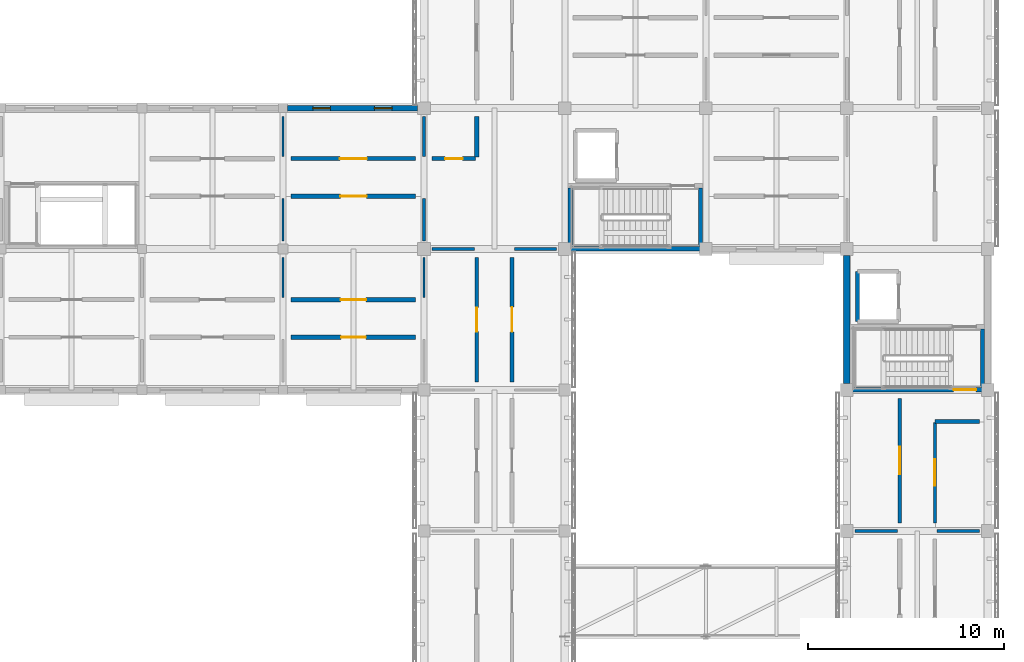
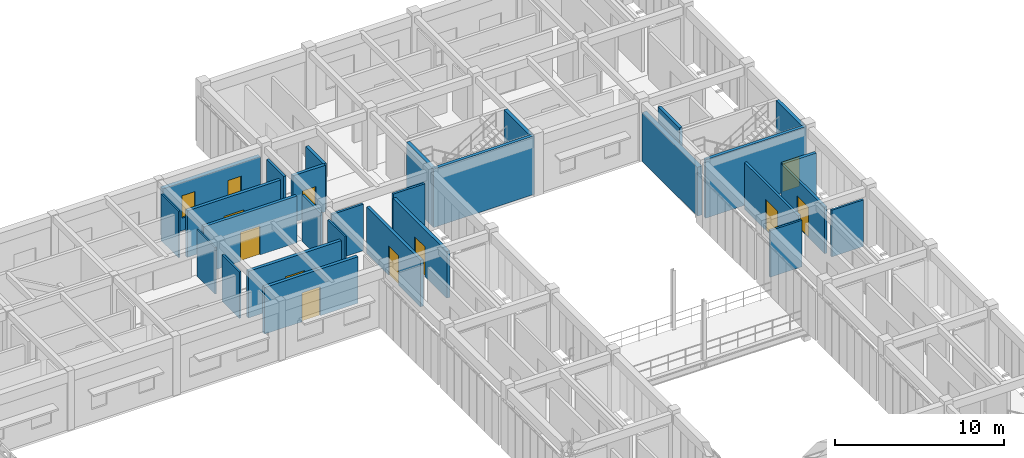
# One storey, part 139 of 171: 29 walls, 10 doors, 2 windows, 12 openings.
"""IFC4 building model written with IfcOpenShell, lengths in metres."""

from ifc_helpers import new_model, si_unit, direction, frame, frame_2d, origin, place, context, subcontext, project, spatial, rectangle, extrude, material, layer, layer_set, type_object, element, fill, save


model = new_model("IFC4")

# Units and contexts
model_context = context("Model", 3, precision=1e-05, world=origin(), true_north=direction((0.0, 1.0)))
body_context = subcontext(model_context, "Body", "Model", "MODEL_VIEW")
ifc_project = project(units=[si_unit("LENGTHUNIT", "METRE"), si_unit("AREAUNIT", "SQUARE_METRE"), si_unit("VOLUMEUNIT", "CUBIC_METRE"), si_unit("PLANEANGLEUNIT", "RADIAN"), si_unit("MASSUNIT", "GRAM", prefix="KILO")], contexts=[model_context])

# Site, building, storey
site_placement = place(None, origin())
site = spatial("IfcSite", under=ifc_project, at=site_placement, CompositionType="ELEMENT")
building_placement = place(site_placement, origin())
building = spatial("IfcBuilding", under=site, at=building_placement, Name="Aldebral Square Health Centre", CompositionType="ELEMENT")
storey_placement = place(building_placement, frame((0.0, 0.0, 4.5)))
storey = spatial("IfcBuildingStorey", under=building, at=storey_placement, Name="L01", CompositionType="ELEMENT", Elevation=4.5)

# Wall, openings, windows
ifc_material_1 = material(Name="Ochre mineral-rendered concrete C35/45 court wall", Category="concrete")
ifc_layer_1 = layer(ifc_material_1, 0.280029296875, Name="Ochre mineral-rendered concrete C35/45 court wall", Category="concrete")
ifc_layer_set_1 = layer_set([ifc_layer_1], Name="Ochre mineral-rendered concrete C35/45 court wall")
wall_type_1 = type_object("IfcWallType", Name="EW-OCH-280", PredefinedType="STANDARD", material=ifc_layer_set_1)
wall_1_placement = place(storey_placement, frame((136.47509765625, 108.0, 0.0), z_axis=(0.0, 0.0, 1.0), x_axis=(-1.0, 0.0, 0.0)))
wall_1 = element("IfcWall", 1, at=wall_1_placement, inside=storey, type_object=wall_type_1, Name="L01 V5 exterior wall L01-V5-18-14-N", PredefinedType="STANDARD", context=body_context, shape_type="SweptSolid", body=[
    extrude(rectangle(XDim=6.650146484375, YDim=0.280029296875, at=frame_2d((3.3251953125, 0.0))), origin(), (0.0, 0.0, 1.0), 3.469970703125),
])
opening_1_placement = place(wall_1_placement, frame((1.300048828125, 0.0, 0.89990234375)))
opening_1 = element("IfcOpeningElement", 2, at=opening_1_placement, cuts=wall_1, Name="Opening W28", PredefinedType="OPENING", context=body_context, shape_type="SweptSolid", body=[
    extrude(rectangle(XDim=0.89990234375, YDim=1.6201171875, at=frame_2d((0.449951171875, 0.81005859375))), frame((0.0, 0.14990234375, 0.0), z_axis=(0.0, -1.0, 0.0), x_axis=(1.0, 0.0, 0.0)), (0.0, 0.0, 1.0), 0.300048828125),
])
opening_2_placement = place(wall_1_placement, frame((4.449951171875, 0.0, 0.89990234375)))
opening_2 = element("IfcOpeningElement", 3, at=opening_2_placement, cuts=wall_1, Name="Opening W28", PredefinedType="OPENING", context=body_context, shape_type="SweptSolid", body=[
    extrude(rectangle(XDim=0.89990234375, YDim=1.6201171875, at=frame_2d((0.449951171875, 0.81005859375))), frame((0.0, 0.14990234375, 0.0), z_axis=(0.0, -1.0, 0.0), x_axis=(1.0, 0.0, 0.0)), (0.0, 0.0, 1.0), 0.300048828125),
])
ifc_material_2 = material(Name="Thermally broken aluminium and low-E glass", Category="aluminium")
window_type = type_object("IfcWindowType", Name="WIN-W28", PartitioningType="SINGLE_PANEL", PredefinedType="WINDOW", material=ifc_material_2)
window_1_placement = place(opening_1_placement, origin())
window_1 = element("IfcWindow", 4, at=window_1_placement, inside=storey, type_object=window_type, Name="L01 clinical window L01-V5-18-14-N.1", OverallHeight=1.6201171875, OverallWidth=0.89990234375, PartitioningType="SINGLE_PANEL", PredefinedType="WINDOW", context=body_context, shape_type="SweptSolid", body=[
    extrude(rectangle(XDim=0.89990234375, YDim=1.6201171875, at=frame_2d((0.449951171875, 0.81005859375))), frame((0.0, 0.030029296875, 0.0), z_axis=(0.0, -1.0, 0.0), x_axis=(1.0, 0.0, 0.0)), (0.0, 0.0, 1.0), 0.06005859375),
])
fill(opening_1, window_1)
window_2_placement = place(opening_2_placement, origin())
window_2 = element("IfcWindow", 5, at=window_2_placement, inside=storey, type_object=window_type, Name="L01 clinical window L01-V5-18-14-N.2", OverallHeight=1.6201171875, OverallWidth=0.89990234375, PartitioningType="SINGLE_PANEL", PredefinedType="WINDOW", context=body_context, shape_type="SweptSolid", body=[
    extrude(rectangle(XDim=0.89990234375, YDim=1.6201171875, at=frame_2d((0.449951171875, 0.81005859375))), frame((0.0, 0.030029296875, 0.0), z_axis=(0.0, -1.0, 0.0), x_axis=(1.0, 0.0, 0.0)), (0.0, 0.0, 1.0), 0.06005859375),
])
fill(opening_2, window_2)

# Wall
ifc_material_3 = material(Name="Precast concrete C40/50 insulated panel", Category="concrete")
ifc_layer_2 = layer(ifc_material_3, 0.320068359375, Name="Precast concrete C40/50 insulated panel", Category="concrete")
ifc_layer_set_2 = layer_set([ifc_layer_2], Name="Precast concrete C40/50 insulated panel")
wall_type_2 = type_object("IfcWallType", Name="EW-PRE-320", PredefinedType="STANDARD", material=ifc_layer_set_2)
wall_2_placement = place(storey_placement, frame((158.39990234375, 100.47509765625, 0.0), z_axis=(0.0, 0.0, 1.0), x_axis=(0.0, -1.0, 0.0)))
element("IfcWall", 6, at=wall_2_placement, inside=storey, type_object=wall_type_2, Name="L01 V5 exterior wall L01-V5-22-13-W", PredefinedType="STANDARD", context=body_context, shape_type="SweptSolid", body=[
    extrude(rectangle(XDim=6.550048828125, YDim=0.320068359375, at=frame_2d((3.27490234375, 0.0))), origin(), (0.0, 0.0, 1.0), 3.52001953125),
])

# Wall, opening, door
ifc_material_4 = material(Name="Concrete C35/45 compartment wall", Category="concrete")
ifc_layer_3 = layer(ifc_material_4, 0.199951171875, Name="Concrete C35/45 compartment wall", Category="concrete")
ifc_layer_set_3 = layer_set([ifc_layer_3], Name="Concrete C35/45 compartment wall")
wall_type_3 = type_object("IfcWallType", Name="IW-CMP-200", PredefinedType="SOLIDWALL", material=ifc_layer_set_3)
wall_3_placement = place(storey_placement, frame((139.5, 94.02001953125, 0.0), z_axis=(0.0, 0.0, 1.0), x_axis=(0.0, 1.0, 0.0)))
wall_3 = element("IfcWall", 7, at=wall_3_placement, inside=storey, type_object=wall_type_3, Name="L01 Clean Supply Store 20.14W corridor wall", PredefinedType="SOLIDWALL", context=body_context, shape_type="SweptSolid", body=[
    extrude(rectangle(XDim=6.35986328125, YDim=0.199951171875, at=frame_2d((3.179931640625, 0.0))), origin(), (0.0, 0.0, 1.0), 3.360107421875),
])
opening_3_placement = place(wall_3_placement, frame((2.570068359375, 0.0, 0.0)))
opening_3 = element("IfcOpeningElement", 8, at=opening_3_placement, cuts=wall_3, Name="Opening D-0331", PredefinedType="OPENING", context=body_context, shape_type="SweptSolid", body=[
    extrude(rectangle(XDim=1.219970703125, YDim=2.139892578125, at=frame_2d((0.60986328125, 1.06982421875))), frame((0.0, 0.10986328125, 0.0), z_axis=(0.0, -1.0, 0.0), x_axis=(1.0, 0.0, 0.0)), (0.0, 0.0, 1.0), 0.219970703125),
])
ifc_material_5 = material(Name="Clinical suite fire door")
door_type_1 = type_object("IfcDoorType", Name="ID-EXD-40", OperationType="NOTDEFINED", PredefinedType="DOOR", material=ifc_material_5)
door_1_placement = place(opening_3_placement, origin())
door_1 = element("IfcDoor", 9, at=door_1_placement, inside=storey, type_object=door_type_1, Name="L01 Clean Supply Store 20.14W door", OperationType="SINGLE_SWING_RIGHT", OverallHeight=2.139892578125, OverallWidth=1.219970703125, PredefinedType="DOOR", context=body_context, shape_type="SweptSolid", body=[
    extrude(rectangle(XDim=1.219970703125, YDim=2.139892578125, at=frame_2d((0.60986328125, 1.06982421875))), frame((0.0, 0.02490234375, 0.0), z_axis=(0.0, -1.0, 0.0), x_axis=(1.0, 0.0, 0.0)), (0.0, 0.0, 1.0), 0.050048828125),
])
fill(opening_3, door_1)

ifc_layer_4 = layer(ifc_material_4, 0.219970703125, Name="Concrete C35/45 compartment wall", Category="concrete")
ifc_layer_set_4 = layer_set([ifc_layer_4], Name="Concrete C35/45 compartment wall")
wall_type_4 = type_object("IfcWallType", Name="IW-CMP-220", PredefinedType="SOLIDWALL", material=ifc_layer_set_4)
wall_4_placement = place(storey_placement, frame((130.02001953125, 96.300048828125, 0.0), z_axis=(0.0, 0.0, 1.0), x_axis=(1.0, 0.0, 0.0)))
wall_4 = element("IfcWall", 10, at=wall_4_placement, inside=storey, type_object=wall_type_4, Name="L01 Maternal-Child Clinic 19.14S corridor wall", PredefinedType="SOLIDWALL", context=body_context, shape_type="SweptSolid", body=[
    extrude(rectangle(XDim=6.35986328125, YDim=0.219970703125, at=frame_2d((3.179931640625, 0.0))), origin(), (0.0, 0.0, 1.0), 3.360107421875),
])
opening_4_placement = place(wall_4_placement, frame((2.550048828125, 0.0, 0.0)))
opening_4 = element("IfcOpeningElement", 11, at=opening_4_placement, cuts=wall_4, Name="Opening D-0316", PredefinedType="OPENING", context=body_context, shape_type="SweptSolid", body=[
    extrude(rectangle(XDim=1.260009765625, YDim=2.090087890625, at=frame_2d((0.6298828125, 1.044921875))), frame((0.0, 0.1201171875, 0.0), z_axis=(0.0, -1.0, 0.0), x_axis=(1.0, 0.0, 0.0)), (0.0, 0.0, 1.0), 0.239990234375),
])
door_type_2 = type_object("IfcDoorType", Name="ID-EXD-25", OperationType="NOTDEFINED", PredefinedType="DOOR", material=ifc_material_5)
door_2_placement = place(opening_4_placement, origin())
door_2 = element("IfcDoor", 12, at=door_2_placement, inside=storey, type_object=door_type_2, Name="L01 Maternal-Child Clinic 19.14S door", OperationType="SINGLE_SWING_LEFT", OverallHeight=2.090087890625, OverallWidth=1.260009765625, PredefinedType="DOOR", context=body_context, shape_type="SweptSolid", body=[
    extrude(rectangle(XDim=1.260009765625, YDim=2.090087890625, at=frame_2d((0.6298828125, 1.044921875))), frame((0.0, 0.02490234375, 0.0), z_axis=(0.0, -1.0, 0.0), x_axis=(1.0, 0.0, 0.0)), (0.0, 0.0, 1.0), 0.050048828125),
])
fill(opening_4, door_2)

wall_5_placement = place(storey_placement, frame((130.02001953125, 98.219970703125, 0.0), z_axis=(0.0, 0.0, 1.0), x_axis=(1.0, 0.0, 0.0)))
wall_5 = element("IfcWall", 13, at=wall_5_placement, inside=storey, type_object=wall_type_4, Name="L01 Clean Supply Store 19.14N corridor wall", PredefinedType="SOLIDWALL", context=body_context, shape_type="SweptSolid", body=[
    extrude(rectangle(XDim=6.35986328125, YDim=0.219970703125, at=frame_2d((3.179931640625, 0.0))), origin(), (0.0, 0.0, 1.0), 3.360107421875),
])
opening_5_placement = place(wall_5_placement, frame((2.530029296875, 0.0, 0.0)))
opening_5 = element("IfcOpeningElement", 14, at=opening_5_placement, cuts=wall_5, Name="Opening D-0317", PredefinedType="OPENING", context=body_context, shape_type="SweptSolid", body=[
    extrude(rectangle(XDim=1.300048828125, YDim=2.090087890625, at=frame_2d((0.64990234375, 1.044921875))), frame((0.0, 0.1201171875, 0.0), z_axis=(0.0, -1.0, 0.0), x_axis=(1.0, 0.0, 0.0)), (0.0, 0.0, 1.0), 0.239990234375),
])
door_type_3 = type_object("IfcDoorType", Name="ID-EXD-26", OperationType="NOTDEFINED", PredefinedType="DOOR", material=ifc_material_5)
door_3_placement = place(opening_5_placement, origin())
door_3 = element("IfcDoor", 15, at=door_3_placement, inside=storey, type_object=door_type_3, Name="L01 Clean Supply Store 19.14N door", OperationType="SINGLE_SWING_RIGHT", OverallHeight=2.090087890625, OverallWidth=1.300048828125, PredefinedType="DOOR", context=body_context, shape_type="SweptSolid", body=[
    extrude(rectangle(XDim=1.300048828125, YDim=2.090087890625, at=frame_2d((0.64990234375, 1.044921875))), frame((0.0, 0.02490234375, 0.0), z_axis=(0.0, -1.0, 0.0), x_axis=(1.0, 0.0, 0.0)), (0.0, 0.0, 1.0), 0.050048828125),
])
fill(opening_5, door_3)

ifc_material_6 = material(Name="Fire-rated acoustic gypsum partition")
ifc_layer_5 = layer(ifc_material_6, 0.1650390625, Name="Fire-rated acoustic gypsum partition")
ifc_layer_set_5 = layer_set([ifc_layer_5], Name="Fire-rated acoustic gypsum partition")
wall_type_5 = type_object("IfcWallType", Name="IW-COR-165", PredefinedType="PARTITIONING", material=ifc_layer_set_5)
wall_6_placement = place(storey_placement, frame((161.10009765625, 86.820068359375, 0.0), z_axis=(0.0, 0.0, 1.0), x_axis=(0.0, 1.0, 0.0)))
wall_6 = element("IfcWall", 16, at=wall_6_placement, inside=storey, type_object=wall_type_5, Name="L01 Audiology Testing Booth 23.13W corridor wall", PredefinedType="PARTITIONING", context=body_context, shape_type="SweptSolid", body=[
    extrude(rectangle(XDim=6.35986328125, YDim=0.1650390625, at=frame_2d((3.179931640625, 0.0))), origin(), (0.0, 0.0, 1.0), 3.360107421875),
])
opening_6_placement = place(wall_6_placement, frame((2.47998046875, 0.0, 0.0)))
opening_6 = element("IfcOpeningElement", 17, at=opening_6_placement, cuts=wall_6, Name="Opening D-0357", PredefinedType="OPENING", context=body_context, shape_type="SweptSolid", body=[
    extrude(rectangle(XDim=1.39990234375, YDim=2.199951171875, at=frame_2d((0.699951171875, 1.10009765625))), frame((0.0, 0.092529296875, 0.0), z_axis=(0.0, -1.0, 0.0), x_axis=(1.0, 0.0, 0.0)), (0.0, 0.0, 1.0), 0.18505859375),
])
ifc_material_7 = material(Name="Surgical recovery fire door")
door_type_4 = type_object("IfcDoorType", Name="ID-OR-140", OperationType="NOTDEFINED", PredefinedType="DOOR", material=ifc_material_7)
door_4_placement = place(opening_6_placement, origin())
door_4 = element("IfcDoor", 18, at=door_4_placement, inside=storey, type_object=door_type_4, Name="L01 Audiology Testing Booth 23.13W door", OperationType="SINGLE_SWING_RIGHT", OverallHeight=2.199951171875, OverallWidth=1.39990234375, PredefinedType="DOOR", context=body_context, shape_type="SweptSolid", body=[
    extrude(rectangle(XDim=1.39990234375, YDim=2.199951171875, at=frame_2d((0.699951171875, 1.10009765625))), frame((0.0, 0.02490234375, 0.0), z_axis=(0.0, -1.0, 0.0), x_axis=(1.0, 0.0, 0.0)), (0.0, 0.0, 1.0), 0.050048828125),
])
fill(opening_6, door_4)

wall_7_placement = place(storey_placement, frame((162.89990234375, 86.820068359375, 0.0), z_axis=(0.0, 0.0, 1.0), x_axis=(0.0, 1.0, 0.0)))
wall_7 = element("IfcWall", 19, at=wall_7_placement, inside=storey, type_object=wall_type_5, Name="L01 Maternal-Child Clinic 23.13E corridor wall", PredefinedType="PARTITIONING", context=body_context, shape_type="SweptSolid", body=[
    extrude(rectangle(XDim=5.1298828125, YDim=0.1650390625, at=frame_2d((2.56494140625, 0.0))), origin(), (0.0, 0.0, 1.0), 3.360107421875),
])
opening_7_placement = place(wall_7_placement, frame((1.889892578125, 0.0, 0.0)))
opening_7 = element("IfcOpeningElement", 20, at=opening_7_placement, cuts=wall_7, Name="Opening D-0358", PredefinedType="OPENING", context=body_context, shape_type="SweptSolid", body=[
    extrude(rectangle(XDim=1.35009765625, YDim=2.199951171875, at=frame_2d((0.675048828125, 1.10009765625))), frame((0.0, 0.092529296875, 0.0), z_axis=(0.0, -1.0, 0.0), x_axis=(1.0, 0.0, 0.0)), (0.0, 0.0, 1.0), 0.18505859375),
])
ifc_material_8 = material(Name="Lead-lined imaging suite door")
door_type_5 = type_object("IfcDoorType", Name="ID-IM-135", OperationType="NOTDEFINED", PredefinedType="DOOR", material=ifc_material_8)
door_5_placement = place(opening_7_placement, origin())
door_5 = element("IfcDoor", 21, at=door_5_placement, inside=storey, type_object=door_type_5, Name="L01 Maternal-Child Clinic 23.13E door", OperationType="SINGLE_SWING_LEFT", OverallHeight=2.199951171875, OverallWidth=1.35009765625, PredefinedType="DOOR", context=body_context, shape_type="SweptSolid", body=[
    extrude(rectangle(XDim=1.35009765625, YDim=2.199951171875, at=frame_2d((0.675048828125, 1.10009765625))), frame((0.0, 0.02490234375, 0.0), z_axis=(0.0, -1.0, 0.0), x_axis=(1.0, 0.0, 0.0)), (0.0, 0.0, 1.0), 0.050048828125),
])
fill(opening_7, door_5)

ifc_material_9 = material(Name="Concrete C40/50", Category="concrete")
ifc_layer_6 = layer(ifc_material_9, 0.219970703125, Name="Concrete C40/50", Category="concrete")
ifc_layer_set_6 = layer_set([ifc_layer_6], Name="Concrete C40/50")
wall_type_6 = type_object("IfcWallType", Name="IW-CORE-280", PredefinedType="SHEAR", material=ifc_layer_set_6)
wall_8_placement = place(storey_placement, frame((158.56005859375, 93.610107421875, 0.0), z_axis=(0.0, 0.0, 1.0), x_axis=(1.0, 0.0, 0.0)))
wall_8 = element("IfcWall", 22, at=wall_8_placement, inside=storey, type_object=wall_type_6, Name="L01 WC-C3 shaft wall S", PredefinedType="SHEAR", context=body_context, shape_type="SweptSolid", body=[
    extrude(rectangle(XDim=6.8798828125, YDim=0.219970703125, at=frame_2d((3.43994140625, 0.0))), origin(), (0.0, 0.0, 1.0), 4.219970703125),
])
opening_8_placement = place(wall_8_placement, frame((5.300048828125, 0.0, 0.0)))
opening_8 = element("IfcOpeningElement", 23, at=opening_8_placement, cuts=wall_8, Name="Opening D-0034", PredefinedType="OPENING", context=body_context, shape_type="SweptSolid", body=[
    extrude(rectangle(XDim=1.14990234375, YDim=2.14990234375, at=frame_2d((0.574951171875, 1.074951171875))), frame((0.0, 0.1201171875, 0.0), z_axis=(0.0, -1.0, 0.0), x_axis=(1.0, 0.0, 0.0)), (0.0, 0.0, 1.0), 0.239990234375),
])
ifc_material_10 = material(Name="Fire-rated steel lobby stair door", Category="steel")
door_type_6 = type_object("IfcDoorType", Name="ID-ST-115", OperationType="NOTDEFINED", PredefinedType="DOOR", material=ifc_material_10)
door_6_placement = place(opening_8_placement, origin())
door_6 = element("IfcDoor", 24, at=door_6_placement, inside=storey, type_object=door_type_6, Name="L01 ST-03 south lobby fire door", OperationType="SINGLE_SWING_LEFT", OverallHeight=2.14990234375, OverallWidth=1.14990234375, PredefinedType="DOOR", context=body_context, shape_type="SweptSolid", body=[
    extrude(rectangle(XDim=1.14990234375, YDim=2.14990234375, at=frame_2d((0.574951171875, 1.074951171875))), frame((0.0, 0.02490234375, 0.0), z_axis=(0.0, -1.0, 0.0), x_axis=(1.0, 0.0, 0.0)), (0.0, 0.0, 1.0), 0.050048828125),
])
fill(opening_8, door_6)

# Walls
wall_9_placement = place(storey_placement, frame((165.330078125, 93.719970703125, 0.0), z_axis=(0.0, 0.0, 1.0), x_axis=(0.0, 1.0, 0.0)))
element("IfcWall", 25, at=wall_9_placement, inside=storey, type_object=wall_type_6, Name="L01 WC-C3 shaft wall E", PredefinedType="SHEAR", context=body_context, shape_type="SweptSolid", body=[
    extrude(rectangle(XDim=3.0, YDim=0.219970703125, at=frame_2d((1.5, 0.0))), origin(), (0.0, 0.0, 1.0), 4.219970703125),
])
wall_10_placement = place(storey_placement, frame((144.159912109375, 100.81005859375, 0.0), z_axis=(0.0, 0.0, 1.0), x_axis=(1.0, 0.0, 0.0)))
element("IfcWall", 26, at=wall_10_placement, inside=storey, type_object=wall_type_6, Name="L01 WC-C4 shaft wall S", PredefinedType="SHEAR", context=body_context, shape_type="SweptSolid", body=[
    extrude(rectangle(XDim=6.880126953125, YDim=0.219970703125, at=frame_2d((3.43994140625, 0.0))), origin(), (0.0, 0.0, 1.0), 4.219970703125),
])
for number, where, z_axis, x_axis, name in (
    (27, (144.27001953125, 100.919921875, 0.0), (0.0, 0.0, 1.0), (0.0, 1.0, 0.0), "L01 WC-C4 shaft wall W"),
    (28, (150.929931640625, 100.919921875, 0.0), (0.0, 0.0, 1.0), (0.0, 1.0, 0.0), "L01 WC-C4 shaft wall E"),
):
    element("IfcWall", number, at=place(storey_placement, frame(where, z_axis=z_axis, x_axis=x_axis)), inside=storey, type_object=wall_type_6, Name=name, PredefinedType="SHEAR", context=body_context, shape_type="SweptSolid", body=[
        extrude(rectangle(XDim=3.0, YDim=0.219970703125, at=frame_2d((1.5, 0.0))), origin(), (0.0, 0.0, 1.0), 4.219970703125),
    ])
ifc_layer_7 = layer(ifc_material_9, 0.199951171875, Name="Concrete C40/50", Category="concrete")
ifc_layer_set_7 = layer_set([ifc_layer_7], Name="Concrete C40/50")
wall_type_7 = type_object("IfcWallType", Name="IW-LFT-250", PredefinedType="SHEAR", material=ifc_layer_set_7)
wall_11_placement = place(storey_placement, frame((158.949951171875, 97.10009765625, 0.0), z_axis=(0.0, 0.0, 1.0), x_axis=(0.0, 1.0, 0.0)))
element("IfcWall", 29, at=wall_11_placement, inside=storey, type_object=wall_type_7, Name="L01 LF-03 shaft wall W", PredefinedType="SHEAR", context=body_context, shape_type="SweptSolid", body=[
    extrude(rectangle(XDim=2.5498046875, YDim=0.199951171875, at=frame_2d((1.27490234375, 0.0))), origin(), (0.0, 0.0, 1.0), 4.219970703125),
])

# Wall, opening, door
ifc_material_11 = material(Name="Moisture-resistant sanitary chase wall")
ifc_layer_8 = layer(ifc_material_11, 0.2099609375, Name="Moisture-resistant sanitary chase wall")
ifc_layer_set_8 = layer_set([ifc_layer_8], Name="Moisture-resistant sanitary chase wall")
wall_type_8 = type_object("IfcWallType", Name="IW-PLB-210", PredefinedType="PLUMBINGWALL", material=ifc_layer_set_8)
wall_12_placement = place(storey_placement, frame((130.02001953125, 103.5, 0.0), z_axis=(0.0, 0.0, 1.0), x_axis=(1.0, 0.0, 0.0)))
wall_12 = element("IfcWall", 30, at=wall_12_placement, inside=storey, type_object=wall_type_8, Name="L01 Accessible WC 19.15S corridor wall", PredefinedType="PLUMBINGWALL", context=body_context, shape_type="SweptSolid", body=[
    extrude(rectangle(XDim=6.35986328125, YDim=0.2099609375, at=frame_2d((3.179931640625, 0.0))), origin(), (0.0, 0.0, 1.0), 3.360107421875),
])
opening_9_placement = place(wall_12_placement, frame((2.510009765625, 0.0, 0.0)))
opening_9 = element("IfcOpeningElement", 31, at=opening_9_placement, cuts=wall_12, Name="Opening D-0318", PredefinedType="OPENING", context=body_context, shape_type="SweptSolid", body=[
    extrude(rectangle(XDim=1.340087890625, YDim=2.090087890625, at=frame_2d((0.669921875, 1.044921875))), frame((0.0, 0.114990234375, 0.0), z_axis=(0.0, -1.0, 0.0), x_axis=(1.0, 0.0, 0.0)), (0.0, 0.0, 1.0), 0.22998046875),
])
door_type_7 = type_object("IfcDoorType", Name="ID-EXD-27", OperationType="NOTDEFINED", PredefinedType="DOOR", material=ifc_material_5)
door_7_placement = place(opening_9_placement, origin())
door_7 = element("IfcDoor", 32, at=door_7_placement, inside=storey, type_object=door_type_7, Name="L01 Accessible WC 19.15S door", OperationType="SINGLE_SWING_LEFT", OverallHeight=2.090087890625, OverallWidth=1.340087890625, PredefinedType="DOOR", context=body_context, shape_type="SweptSolid", body=[
    extrude(rectangle(XDim=1.340087890625, YDim=2.090087890625, at=frame_2d((0.669921875, 1.044921875))), frame((0.0, 0.02490234375, 0.0), z_axis=(0.0, -1.0, 0.0), x_axis=(1.0, 0.0, 0.0)), (0.0, 0.0, 1.0), 0.050048828125),
])
fill(opening_9, door_7)

wall_13_placement = place(storey_placement, frame((130.02001953125, 105.419921875, 0.0), z_axis=(0.0, 0.0, 1.0), x_axis=(1.0, 0.0, 0.0)))
wall_13 = element("IfcWall", 33, at=wall_13_placement, inside=storey, type_object=wall_type_8, Name="L01 Patient Toilet 19.15N corridor wall", PredefinedType="PLUMBINGWALL", context=body_context, shape_type="SweptSolid", body=[
    extrude(rectangle(XDim=6.35986328125, YDim=0.2099609375, at=frame_2d((3.179931640625, 0.0))), origin(), (0.0, 0.0, 1.0), 3.360107421875),
])
opening_10_placement = place(wall_13_placement, frame((2.489990234375, 0.0, 0.0)))
opening_10 = element("IfcOpeningElement", 34, at=opening_10_placement, cuts=wall_13, Name="Opening D-0319", PredefinedType="OPENING", context=body_context, shape_type="SweptSolid", body=[
    extrude(rectangle(XDim=1.3798828125, YDim=2.090087890625, at=frame_2d((0.68994140625, 1.044921875))), frame((0.0, 0.114990234375, 0.0), z_axis=(0.0, -1.0, 0.0), x_axis=(1.0, 0.0, 0.0)), (0.0, 0.0, 1.0), 0.22998046875),
])
door_type_8 = type_object("IfcDoorType", Name="ID-EXD-28", OperationType="NOTDEFINED", PredefinedType="DOOR", material=ifc_material_5)
door_8_placement = place(opening_10_placement, origin())
door_8 = element("IfcDoor", 35, at=door_8_placement, inside=storey, type_object=door_type_8, Name="L01 Patient Toilet 19.15N door", OperationType="SINGLE_SWING_RIGHT", OverallHeight=2.090087890625, OverallWidth=1.3798828125, PredefinedType="DOOR", context=body_context, shape_type="SweptSolid", body=[
    extrude(rectangle(XDim=1.3798828125, YDim=2.090087890625, at=frame_2d((0.68994140625, 1.044921875))), frame((0.0, 0.02490234375, 0.0), z_axis=(0.0, -1.0, 0.0), x_axis=(1.0, 0.0, 0.0)), (0.0, 0.0, 1.0), 0.050048828125),
])
fill(opening_10, door_8)

wall_14_placement = place(storey_placement, frame((141.300048828125, 94.02001953125, 0.0), z_axis=(0.0, 0.0, 1.0), x_axis=(0.0, 1.0, 0.0)))
wall_14 = element("IfcWall", 36, at=wall_14_placement, inside=storey, type_object=wall_type_8, Name="L01 Accessible WC 20.14E corridor wall", PredefinedType="PLUMBINGWALL", context=body_context, shape_type="SweptSolid", body=[
    extrude(rectangle(XDim=6.35986328125, YDim=0.2099609375, at=frame_2d((3.179931640625, 0.0))), origin(), (0.0, 0.0, 1.0), 3.360107421875),
])
opening_11_placement = place(wall_14_placement, frame((2.550048828125, 0.0, 0.0)))
opening_11 = element("IfcOpeningElement", 37, at=opening_11_placement, cuts=wall_14, Name="Opening D-0332", PredefinedType="OPENING", context=body_context, shape_type="SweptSolid", body=[
    extrude(rectangle(XDim=1.260009765625, YDim=2.139892578125, at=frame_2d((0.6298828125, 1.06982421875))), frame((0.0, 0.114990234375, 0.0), z_axis=(0.0, -1.0, 0.0), x_axis=(1.0, 0.0, 0.0)), (0.0, 0.0, 1.0), 0.22998046875),
])
door_type_9 = type_object("IfcDoorType", Name="ID-EXD-41", OperationType="NOTDEFINED", PredefinedType="DOOR", material=ifc_material_5)
door_9_placement = place(opening_11_placement, origin())
door_9 = element("IfcDoor", 38, at=door_9_placement, inside=storey, type_object=door_type_9, Name="L01 Accessible WC 20.14E door", OperationType="SINGLE_SWING_LEFT", OverallHeight=2.139892578125, OverallWidth=1.260009765625, PredefinedType="DOOR", context=body_context, shape_type="SweptSolid", body=[
    extrude(rectangle(XDim=1.260009765625, YDim=2.139892578125, at=frame_2d((0.6298828125, 1.06982421875))), frame((0.0, 0.02490234375, 0.0), z_axis=(0.0, -1.0, 0.0), x_axis=(1.0, 0.0, 0.0)), (0.0, 0.0, 1.0), 0.050048828125),
])
fill(opening_11, door_9)

# Wall
wall_15_placement = place(storey_placement, frame((139.5, 105.5, 0.0), z_axis=(0.0, 0.0, 1.0), x_axis=(0.0, 1.0, 0.0)))
element("IfcWall", 39, at=wall_15_placement, inside=storey, type_object=wall_type_8, Name="L01 Patient Toilet 20.15NW side wall", PredefinedType="PLUMBINGWALL", context=body_context, shape_type="SweptSolid", body=[
    extrude(rectangle(XDim=2.080078125, YDim=0.2099609375, at=frame_2d((1.0400390625, 0.0))), origin(), (0.0, 0.0, 1.0), 3.360107421875),
])

# Wall, opening, door
wall_16_placement = place(storey_placement, frame((137.219970703125, 105.419921875, 0.0), z_axis=(0.0, 0.0, 1.0), x_axis=(1.0, 0.0, 0.0)))
wall_16 = element("IfcWall", 40, at=wall_16_placement, inside=storey, type_object=wall_type_8, Name="L01 Patient Toilet 20.15NW corridor wall", PredefinedType="PLUMBINGWALL", context=body_context, shape_type="SweptSolid", body=[
    extrude(rectangle(XDim=2.219970703125, YDim=0.2099609375, at=frame_2d((1.10986328125, 0.0))), origin(), (0.0, 0.0, 1.0), 3.360107421875),
])
opening_12_placement = place(wall_16_placement, frame((0.659912109375, 0.0, 0.0)))
opening_12 = element("IfcOpeningElement", 41, at=opening_12_placement, cuts=wall_16, Name="Opening D-0333", PredefinedType="OPENING", context=body_context, shape_type="SweptSolid", body=[
    extrude(rectangle(XDim=0.89990234375, YDim=2.0400390625, at=frame_2d((0.449951171875, 1.02001953125))), frame((0.0, 0.114990234375, 0.0), z_axis=(0.0, -1.0, 0.0), x_axis=(1.0, 0.0, 0.0)), (0.0, 0.0, 1.0), 0.22998046875),
])
door_type_10 = type_object("IfcDoorType", Name="ID-EXD-00", OperationType="NOTDEFINED", PredefinedType="DOOR", material=ifc_material_5)
door_10_placement = place(opening_12_placement, origin())
door_10 = element("IfcDoor", 42, at=door_10_placement, inside=storey, type_object=door_type_10, Name="L01 Patient Toilet 20.15NW door", OperationType="SINGLE_SWING_RIGHT", OverallHeight=2.0400390625, OverallWidth=0.89990234375, PredefinedType="DOOR", context=body_context, shape_type="SweptSolid", body=[
    extrude(rectangle(XDim=0.89990234375, YDim=2.0400390625, at=frame_2d((0.449951171875, 1.02001953125))), frame((0.0, 0.02490234375, 0.0), z_axis=(0.0, -1.0, 0.0), x_axis=(1.0, 0.0, 0.0)), (0.0, 0.0, 1.0), 0.050048828125),
])
fill(opening_12, door_10)

# Walls
wall_17_placement = place(storey_placement, frame((162.89990234375, 92.0, 0.0), z_axis=(0.0, 0.0, 1.0), x_axis=(1.0, 0.0, 0.0)))
element("IfcWall", 43, at=wall_17_placement, inside=storey, type_object=wall_type_8, Name="L01 Maternal-Child Clinic 23.13E lobby return wall", PredefinedType="PLUMBINGWALL", context=body_context, shape_type="SweptSolid", body=[
    extrude(rectangle(XDim=2.280029296875, YDim=0.2099609375, at=frame_2d((1.14013671875, 0.0))), origin(), (0.0, 0.0, 1.0), 3.360107421875),
])
ifc_material_12 = material(Name="Lightweight clinical partition")
ifc_layer_9 = layer(ifc_material_12, 0.10498046875, Name="Lightweight clinical partition")
ifc_layer_set_9 = layer_set([ifc_layer_9], Name="Lightweight clinical partition")
wall_type_9 = type_object("IfcWallType", Name="IW-PRT-105", PredefinedType="PARTITIONING", material=ifc_layer_set_9)
wall_18_placement = place(storey_placement, frame((129.60009765625, 101.219970703125, 0.0), z_axis=(0.0, 0.0, 1.0), x_axis=(0.0, 1.0, 0.0)))
element("IfcWall", 44, at=wall_18_placement, inside=storey, type_object=wall_type_9, Name="L01 Pulmonary Function Clinic 18.15S demising partition", PredefinedType="PARTITIONING", context=body_context, shape_type="SweptSolid", body=[
    extrude(rectangle(XDim=2.159912109375, YDim=0.10498046875, at=frame_2d((1.080078125, 0.0))), origin(), (0.0, 0.0, 1.0), 3.360107421875),
])
wall_19_placement = place(storey_placement, frame((129.60009765625, 105.5400390625, 0.0), z_axis=(0.0, 0.0, 1.0), x_axis=(0.0, 1.0, 0.0)))
element("IfcWall", 45, at=wall_19_placement, inside=storey, type_object=wall_type_9, Name="L01 Audiology Testing Booth 18.15N demising partition", PredefinedType="PARTITIONING", context=body_context, shape_type="SweptSolid", body=[
    extrude(rectangle(XDim=2.0400390625, YDim=0.10498046875, at=frame_2d((1.02001953125, 0.0))), origin(), (0.0, 0.0, 1.0), 3.360107421875),
])
wall_20_placement = place(storey_placement, frame((136.800048828125, 98.340087890625, 0.0), z_axis=(0.0, 0.0, 1.0), x_axis=(0.0, 1.0, 0.0)))
element("IfcWall", 46, at=wall_20_placement, inside=storey, type_object=wall_type_9, Name="L01 Clean Supply Store 19.14N demising partition", PredefinedType="PARTITIONING", context=body_context, shape_type="SweptSolid", body=[
    extrude(rectangle(XDim=2.039794921875, YDim=0.10498046875, at=frame_2d((1.02001953125, 0.0))), origin(), (0.0, 0.0, 1.0), 3.360107421875),
])
ifc_material_13 = material(Name="Acoustic clinical gypsum partition")
ifc_layer_10 = layer(ifc_material_13, 0.1201171875, Name="Acoustic clinical gypsum partition")
ifc_layer_set_10 = layer_set([ifc_layer_10], Name="Acoustic clinical gypsum partition")
wall_type_10 = type_object("IfcWallType", Name="IW-PRT-120", PredefinedType="PARTITIONING", material=ifc_layer_set_10)
wall_21_placement = place(storey_placement, frame((129.60009765625, 98.340087890625, 0.0), z_axis=(0.0, 0.0, 1.0), x_axis=(0.0, 1.0, 0.0)))
element("IfcWall", 47, at=wall_21_placement, inside=storey, type_object=wall_type_10, Name="L01 Endoscopy Diagnostic Suite 18.14N demising partition", PredefinedType="PARTITIONING", context=body_context, shape_type="SweptSolid", body=[
    extrude(rectangle(XDim=2.039794921875, YDim=0.1201171875, at=frame_2d((1.02001953125, 0.0))), origin(), (0.0, 0.0, 1.0), 3.360107421875),
])
ifc_layer_11 = layer(ifc_material_13, 0.135009765625, Name="Acoustic clinical gypsum partition")
ifc_layer_set_11 = layer_set([ifc_layer_11], Name="Acoustic clinical gypsum partition")
wall_type_11 = type_object("IfcWallType", Name="IW-PRT-135", PredefinedType="PARTITIONING", material=ifc_layer_set_11)
for number, where, z_axis, x_axis, name in (
    (48, (158.820068359375, 86.39990234375, 0.0), (0.0, 0.0, 1.0), (1.0, 0.0, 0.0), "L01 Endoscopy Diagnostic Suite 23.12W demising partition"),
    (49, (163.02001953125, 86.39990234375, 0.0), (0.0, 0.0, 1.0), (1.0, 0.0, 0.0), "L01 Pulmonary Function Clinic 23.12E demising partition"),
):
    element("IfcWall", number, at=place(storey_placement, frame(where, z_axis=z_axis, x_axis=x_axis)), inside=storey, type_object=wall_type_11, Name=name, PredefinedType="PARTITIONING", context=body_context, shape_type="SweptSolid", body=[
        extrude(rectangle(XDim=2.159912109375, YDim=0.135009765625, at=frame_2d((1.080078125, 0.0))), origin(), (0.0, 0.0, 1.0), 3.360107421875),
    ])
ifc_layer_12 = layer(ifc_material_13, 0.14990234375, Name="Acoustic clinical gypsum partition")
ifc_layer_set_12 = layer_set([ifc_layer_12], Name="Acoustic clinical gypsum partition")
wall_type_12 = type_object("IfcWallType", Name="IW-PRT-150", PredefinedType="PARTITIONING", material=ifc_layer_set_12)
wall_22_placement = place(storey_placement, frame((136.800048828125, 101.219970703125, 0.0), z_axis=(0.0, 0.0, 1.0), x_axis=(0.0, 1.0, 0.0)))
element("IfcWall", 50, at=wall_22_placement, inside=storey, type_object=wall_type_12, Name="L01 Accessible WC 19.15S demising partition", PredefinedType="PARTITIONING", context=body_context, shape_type="SweptSolid", body=[
    extrude(rectangle(XDim=2.159912109375, YDim=0.14990234375, at=frame_2d((1.080078125, 0.0))), origin(), (0.0, 0.0, 1.0), 3.360107421875),
])
wall_23_placement = place(storey_placement, frame((136.800048828125, 105.5400390625, 0.0), z_axis=(0.0, 0.0, 1.0), x_axis=(0.0, 1.0, 0.0)))
element("IfcWall", 51, at=wall_23_placement, inside=storey, type_object=wall_type_12, Name="L01 Patient Toilet 19.15N demising partition", PredefinedType="PARTITIONING", context=body_context, shape_type="SweptSolid", body=[
    extrude(rectangle(XDim=2.0400390625, YDim=0.14990234375, at=frame_2d((1.02001953125, 0.0))), origin(), (0.0, 0.0, 1.0), 3.360107421875),
])
wall_24_placement = place(storey_placement, frame((137.219970703125, 100.800048828125, 0.0), z_axis=(0.0, 0.0, 1.0), x_axis=(1.0, 0.0, 0.0)))
element("IfcWall", 52, at=wall_24_placement, inside=storey, type_object=wall_type_12, Name="L01 Clean Supply Store 20.14W demising partition", PredefinedType="PARTITIONING", context=body_context, shape_type="SweptSolid", body=[
    extrude(rectangle(XDim=2.159912109375, YDim=0.14990234375, at=frame_2d((1.080078125, 0.0))), origin(), (0.0, 0.0, 1.0), 3.360107421875),
])
wall_25_placement = place(storey_placement, frame((141.419921875, 100.800048828125, 0.0), z_axis=(0.0, 0.0, 1.0), x_axis=(1.0, 0.0, 0.0)))
element("IfcWall", 53, at=wall_25_placement, inside=storey, type_object=wall_type_12, Name="L01 Accessible WC 20.14E demising partition", PredefinedType="PARTITIONING", context=body_context, shape_type="SweptSolid", body=[
    extrude(rectangle(XDim=2.16015625, YDim=0.14990234375, at=frame_2d((1.080078125, 0.0))), origin(), (0.0, 0.0, 1.0), 3.360107421875),
])

save(model, "model.ifc")
